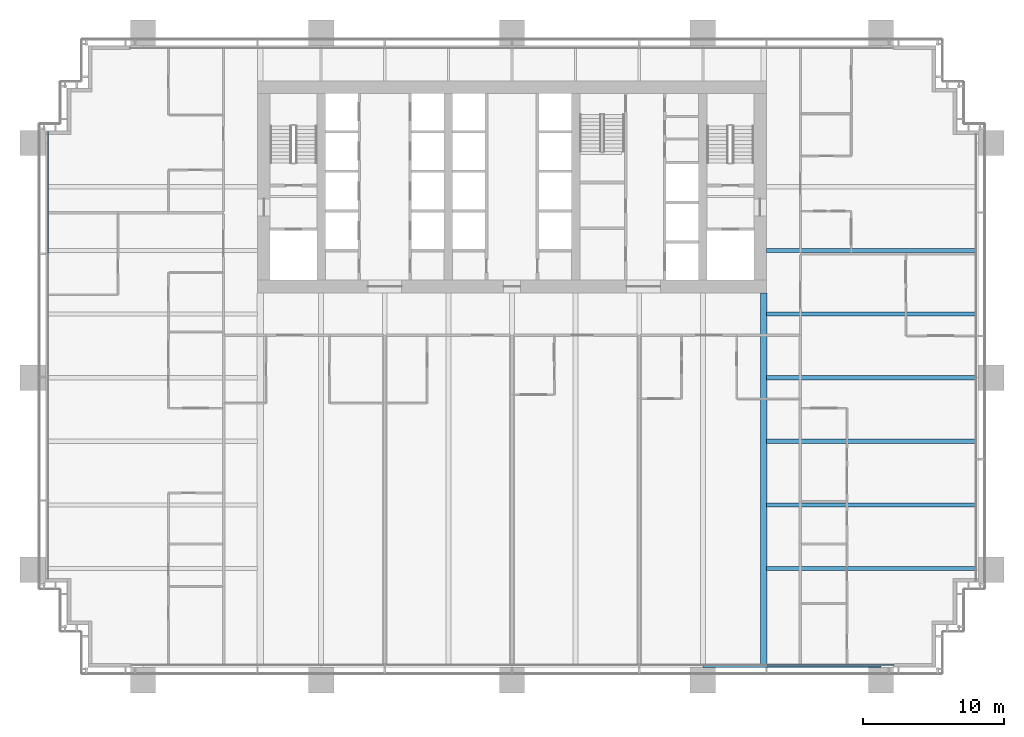
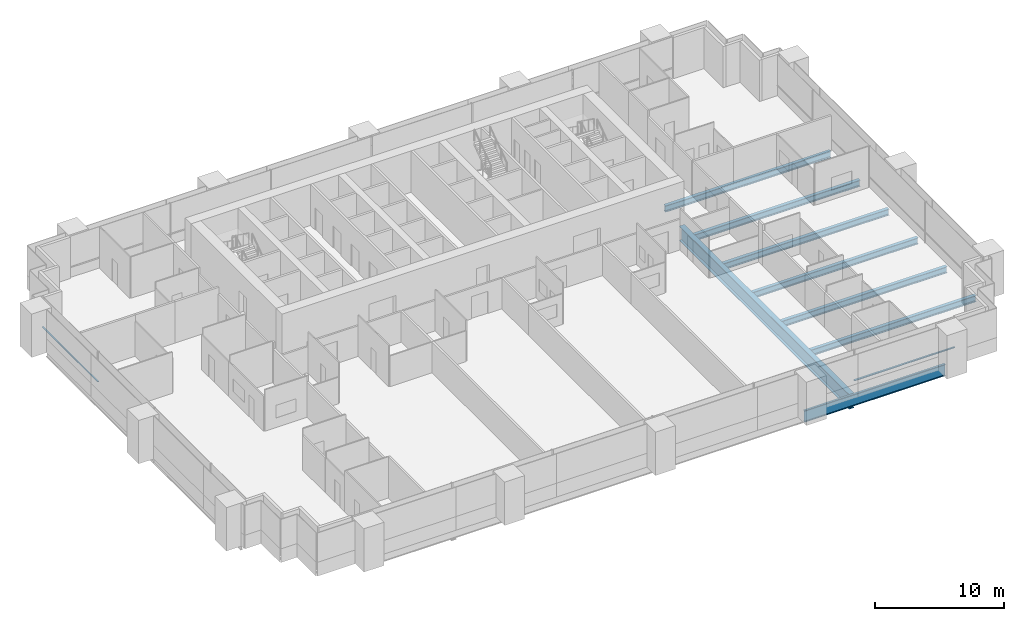
# One storey, part 6 of 20: 8 beams, 2 members, 2 elements without a shape of their own.
"""IFC4 building model written with IfcOpenShell, lengths in metres."""

from ifc_helpers import new_model, si_unit, direction, frame, origin, origin_2d, place, context, subcontext, project, spatial, rectangle, i_section, extrude, material, material_profile, profile_set, type_object, element, aggregate, save


model = new_model("IFC4")

# Units and contexts
model_context = context("Model", 3, precision=1e-05, world=origin(), true_north=direction((0.0, 1.0)))
body_context = subcontext(model_context, "Body", "Model", "MODEL_VIEW")
ifc_project = project(units=[si_unit("LENGTHUNIT", "METRE"), si_unit("AREAUNIT", "SQUARE_METRE"), si_unit("VOLUMEUNIT", "CUBIC_METRE"), si_unit("PLANEANGLEUNIT", "RADIAN"), si_unit("MASSUNIT", "GRAM", prefix="KILO")], contexts=[model_context])

# Site, building, storey
site_placement = place(None, origin())
site = spatial("IfcSite", under=ifc_project, at=site_placement, CompositionType="ELEMENT")
building_placement = place(site_placement, origin())
building = spatial("IfcBuilding", under=site, at=building_placement, Name="Rattan Terrace Tower", CompositionType="ELEMENT")
storey_placement = place(building_placement, frame((0.0, 0.0, 40.60009765625)))
storey = spatial("IfcBuildingStorey", under=building, at=storey_placement, Name="L08", CompositionType="ELEMENT", Elevation=40.60009765625)

# Curtain wall, member
ifc_material_1 = material(Name="Aluminium and glass", Category="aluminium")
curtain_wall_type = type_object("IfcCurtainWallType", Name="Facade Unitised Curtain Wall", PredefinedType="NOTDEFINED", material=ifc_material_1)
curtain_wall_1_placement = place(storey_placement, origin())
curtain_wall_1 = element("IfcCurtainWall", 1, at=curtain_wall_1_placement, inside=storey, type_object=curtain_wall_type, Name="Curtain wall L08-3", PredefinedType="NOTDEFINED")
ifc_material_2 = material(Name="Aluminium", Category="aluminium")
ifc_material_profile_1 = material_profile(ifc_material_2, rectangle(XDim=0.1201171875, YDim=0.06005859375, at=origin_2d()), Name="Aluminium 120x60")
ifc_profile_set_1 = profile_set([ifc_material_profile_1], Name="Aluminium")
member_type = type_object("IfcMemberType", Name="Facade CW Transom 120x60", PredefinedType="USERDEFINED", material=ifc_profile_set_1)
member_1_placement = place(storey_placement, frame((-32.830078125, 3.89501953125, 1.0), z_axis=(0.0, -1.0, 0.0), x_axis=(1.0, 0.0, 0.0)))
member_1 = element("IfcMember", 2, at=member_1_placement, type_object=member_type, Name="Transom cwl-L08-003.1", ObjectType="TRANSOM", PredefinedType="USERDEFINED", context=body_context, shape_type="SweptSolid", body=[
    extrude(rectangle(XDim=0.1201171875, YDim=0.06005859375, at=origin_2d()), origin(), (0.0, 0.0, 1.0), 8.592041015625),
])
aggregate(curtain_wall_1, [member_1])

curtain_wall_2_placement = place(storey_placement, origin())
curtain_wall_2 = element("IfcCurtainWall", 3, at=curtain_wall_2_placement, inside=storey, type_object=curtain_wall_type, Name="Curtain wall L08-4", PredefinedType="NOTDEFINED")
member_2_placement = place(storey_placement, frame((18.030029296875, -33.830078125, 1.0), z_axis=(1.0, 0.0, 0.0), x_axis=(0.0, 1.0, 0.0)))
member_2 = element("IfcMember", 4, at=member_2_placement, type_object=member_type, Name="Transom cwl-L08-004.6", ObjectType="TRANSOM", PredefinedType="USERDEFINED", context=body_context, shape_type="SweptSolid", body=[
    extrude(rectangle(XDim=0.1201171875, YDim=0.06005859375, at=origin_2d()), origin(), (0.0, 0.0, 1.0), 8.969970703125),
])
aggregate(curtain_wall_2, [member_2])

# Beams
ifc_material_3 = material(Name="Steel S460", Category="steel")
ifc_material_profile_2 = material_profile(ifc_material_3, i_section(OverallWidth=0.449951171875, OverallDepth=1.39990234375, WebThickness=0.02197265625, FlangeThickness=0.054931640625, at=origin_2d()), Name="PG 1400x450-22-55")
ifc_profile_set_2 = profile_set([ifc_material_profile_2], Name="Steel S460")
beam_type_1 = type_object("IfcBeamType", Name="Frame core girder PG 1400x450-22-55", PredefinedType="BEAM", material=ifc_profile_set_2)
beam_1_placement = place(storey_placement, frame((17.800048828125, -33.820068359375, -0.900146484375), z_axis=(0.0, 1.0, 0.0), x_axis=(-1.0, 0.0, 0.0)))
element("IfcBeam", 5, at=beam_1_placement, inside=storey, type_object=beam_type_1, Name="gdr-L08-014", PredefinedType="BEAM", context=body_context, shape_type="SweptSolid", body=[
    extrude(i_section(OverallWidth=0.449951171875, OverallDepth=1.39990234375, WebThickness=0.02197265625, FlangeThickness=0.054931640625, at=origin_2d()), origin(), (0.0, 0.0, 1.0), 26.320068359375),
])
ifc_material_4 = material(Name="Steel S460", Category="steel")
ifc_material_profile_3 = material_profile(ifc_material_4, i_section(OverallWidth=0.179931640625, OverallDepth=1.10009765625, WebThickness=0.01611328125, FlangeThickness=0.050048828125, at=origin_2d()), Name="PG 1100x180-16-50")
ifc_profile_set_3 = profile_set([ifc_material_profile_3], Name="Steel S460")
beam_type_2 = type_object("IfcBeamType", Name="Frame edge girder PG 1100x180-16-50", PredefinedType="SPANDREL", material=ifc_profile_set_3)
beam_2_placement = place(storey_placement, frame((13.5, -33.909912109375, -0.75), z_axis=(1.0, 0.0, 0.0), x_axis=(0.0, 1.0, 0.0)))
element("IfcBeam", 6, at=beam_2_placement, inside=storey, type_object=beam_type_2, Name="gdr-L08-004", PredefinedType="SPANDREL", context=body_context, shape_type="SweptSolid", body=[
    extrude(i_section(OverallWidth=0.179931640625, OverallDepth=1.10009765625, WebThickness=0.01611328125, FlangeThickness=0.050048828125, at=origin_2d()), origin(), (0.0, 0.0, 1.0), 12.60009765625),
])
ifc_material_5 = material(Name="Steel S355", Category="steel")
ifc_material_profile_4 = material_profile(ifc_material_5, i_section(OverallWidth=0.300048828125, OverallDepth=0.60009765625, WebThickness=0.015380859375, FlangeThickness=0.030029296875, FilletRadius=0.027099609375, at=origin_2d()), Name="HE 600 B")
ifc_profile_set_4 = profile_set([ifc_material_profile_4], Name="Steel S355")
beam_type_3 = type_object("IfcBeamType", Name="Frame floor beam HE 600 B", PredefinedType="JOIST", material=ifc_profile_set_4)
for number, where, z_axis, x_axis, name in (
    (7, (18.0, -27.0, -0.5), (1.0, 0.0, 0.0), (0.0, 1.0, 0.0), "bm-L08-011"),
    (8, (18.0, -22.5, -0.5), (1.0, 0.0, 0.0), (0.0, 1.0, 0.0), "bm-L08-013"),
    (9, (18.0, -18.0, -0.5), (1.0, 0.0, 0.0), (0.0, 1.0, 0.0), "bm-L08-015"),
    (10, (18.0, -13.5, -0.5), (1.0, 0.0, 0.0), (0.0, 1.0, 0.0), "bm-L08-017"),
    (11, (18.0, -9.0, -0.5), (1.0, 0.0, 0.0), (0.0, 1.0, 0.0), "bm-L08-019"),
    (12, (18.0, -4.5, -0.5), (1.0, 0.0, 0.0), (0.0, 1.0, 0.0), "bm-L08-021"),
):
    element("IfcBeam", number, at=place(storey_placement, frame(where, z_axis=z_axis, x_axis=x_axis)), inside=storey, type_object=beam_type_3, Name=name, PredefinedType="JOIST", context=body_context, shape_type="SweptSolid", body=[
        extrude(i_section(OverallWidth=0.300048828125, OverallDepth=0.60009765625, WebThickness=0.015380859375, FlangeThickness=0.030029296875, FilletRadius=0.027099609375, at=origin_2d()), origin(), (0.0, 0.0, 1.0), 14.820068359375),
    ])

save(model, "model.ifc")
